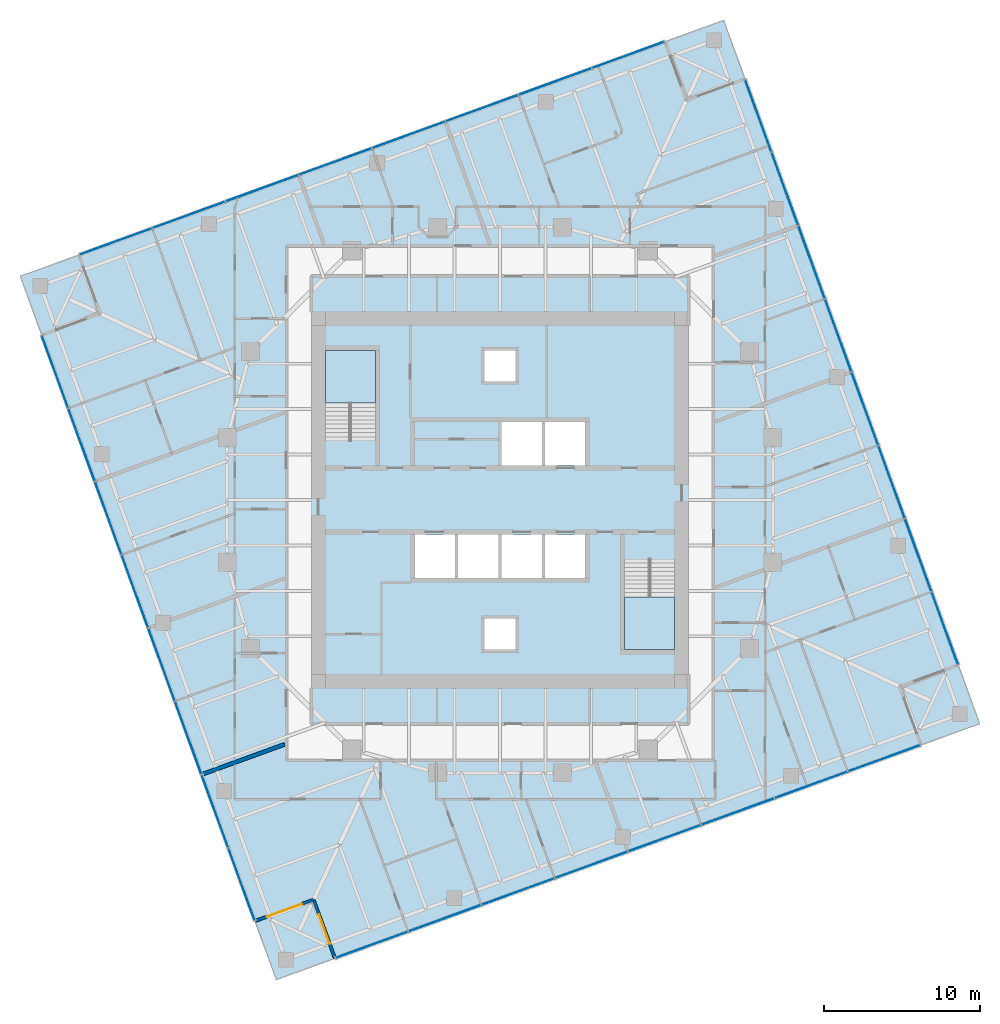
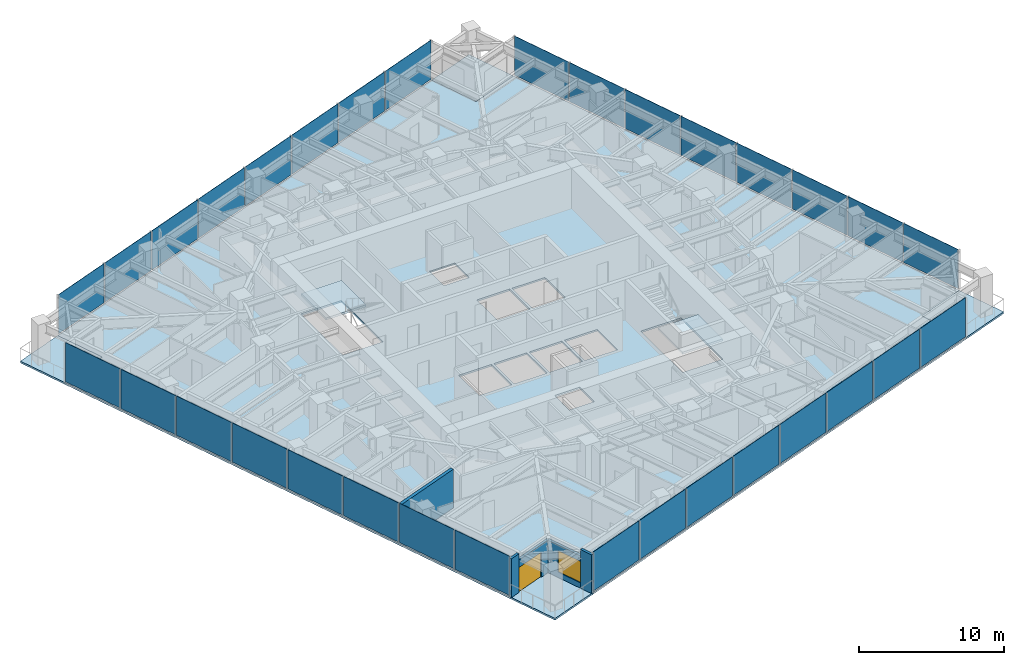
# One storey, part 6 of 13: 32 plates, 7 slabs, 5 walls, 1 door, 1 window, 2 openings, 6 elements without a shape of their own.
"""IFC4 building model written with IfcOpenShell, lengths in metres."""

from ifc_helpers import new_model, si_unit, direction, frame, frame_2d, origin, origin_2d, place, context, subcontext, project, spatial, polyline, rectangle, outline, extrude, material, layer, layer_set, type_object, element, fill, aggregate, save


model = new_model("IFC4")

# Units and contexts
model_context = context("Model", 3, precision=1e-05, world=origin(), true_north=direction((0.0, 1.0)))
body_context = subcontext(model_context, "Body", "Model", "MODEL_VIEW")
ifc_project = project(units=[si_unit("LENGTHUNIT", "METRE"), si_unit("AREAUNIT", "SQUARE_METRE"), si_unit("VOLUMEUNIT", "CUBIC_METRE"), si_unit("PLANEANGLEUNIT", "RADIAN"), si_unit("MASSUNIT", "GRAM", prefix="KILO")], contexts=[model_context])

# Site, building, storey
site_placement = place(None, origin())
site = spatial("IfcSite", under=ifc_project, at=site_placement, CompositionType="ELEMENT")
building_placement = place(site_placement, origin())
building = spatial("IfcBuilding", under=site, at=building_placement, Name="Torsade Residences", CompositionType="ELEMENT")
storey_placement = place(building_placement, frame((0.0, 0.0, 150.60009765625)))
storey = spatial("IfcBuildingStorey", under=building, at=storey_placement, Name="L41", CompositionType="ELEMENT", Elevation=150.60009765625)

# Slab
ifc_material_1 = material(Name="Concrete 40 MPa", Category="concrete")
ifc_layer_1 = layer(ifc_material_1, 0.14990234375)
ifc_layer_set_1 = layer_set([ifc_layer_1], Name="Concrete 40 MPa")
slab_type_1 = type_object("IfcSlabType", Name="COMPOSITE FLOOR SLAB 150", PredefinedType="FLOOR", material=ifc_layer_set_1)
slab_1_placement = place(storey_placement, frame((0.0, 0.0, -0.150146484375)))
element("IfcSlab", 1, at=slab_1_placement, inside=storey, type_object=slab_type_1, Name="Floor slab L41", PredefinedType="FLOOR", context=body_context, shape_type="SweptSolid", body=[
    extrude(outline(polyline([(29.41455078125, 0.60693359375), (67.00244140625, 14.287841796875), (65.63427734375, 18.046630859375), (69.39306640625, 19.41455078125), (55.712158203125, 57.00244140625), (51.953369140625, 55.63427734375), (50.58544921875, 59.39306640625), (12.99755859375, 45.712158203125), (14.36572265625, 41.953369140625), (10.60693359375, 40.58544921875), (24.287841796875, 2.99755859375), (28.046630859375, 4.36572265625), (29.41455078125, 0.60693359375)]), holes=[polyline([(51.199951171875, 26.1201171875), (48.0, 26.1201171875), (48.0, 20.39990234375), (51.199951171875, 20.39990234375), (51.199951171875, 26.1201171875)]), polyline([(45.5, 27.800048828125), (42.89990234375, 27.800048828125), (42.89990234375, 25.0), (45.5, 25.0), (45.5, 27.800048828125)]), polyline([(45.5, 35.0), (42.89990234375, 35.0), (42.89990234375, 32.199951171875), (45.5, 32.199951171875), (45.5, 35.0)]), polyline([(42.699951171875, 25.0), (42.699951171875, 27.800048828125), (40.10009765625, 27.800048828125), (40.10009765625, 25.0), (42.699951171875, 25.0)]), polyline([(42.699951171875, 35.0), (40.10009765625, 35.0), (40.10009765625, 32.199951171875), (42.699951171875, 32.199951171875), (42.699951171875, 35.0)]), polyline([(41.0, 22.39990234375), (39.0, 22.39990234375), (39.0, 20.39990234375), (41.0, 20.39990234375), (41.0, 22.39990234375)]), polyline([(41.0, 37.60009765625), (41.0, 39.60009765625), (39.0, 39.60009765625), (39.0, 37.60009765625), (41.0, 37.60009765625)]), polyline([(39.89990234375, 25.0), (39.89990234375, 27.800048828125), (37.300048828125, 27.800048828125), (37.300048828125, 25.0), (39.89990234375, 25.0)]), polyline([(37.10009765625, 27.800048828125), (34.5, 27.800048828125), (34.5, 25.0), (37.10009765625, 25.0), (37.10009765625, 27.800048828125)]), polyline([(32.0, 33.8798828125), (32.0, 39.60009765625), (28.800048828125, 39.60009765625), (28.800048828125, 33.8798828125), (32.0, 33.8798828125)])]), origin(), (0.0, 0.0, 1.0), 0.150146484375),
])

# Curtain wall, plates
ifc_material_2 = material(Name="Aluminium and glass", Category="aluminium")
curtain_wall_type = type_object("IfcCurtainWallType", Name="FRITTED GLASS CURTAIN WALL MID ZONE", PredefinedType="NOTDEFINED", material=ifc_material_2)
curtain_wall_1_placement = place(storey_placement, origin())
curtain_wall_1 = element("IfcCurtainWall", 2, at=curtain_wall_1_placement, inside=storey, type_object=curtain_wall_type, Name="Curtain wall L41 face 1", PredefinedType="NOTDEFINED")
ifc_material_3 = material(Name="Laminated glass", Category="glass")
ifc_layer_2 = layer(ifc_material_3, 0.031982421875)
ifc_layer_set_2 = layer_set([ifc_layer_2], Name="Laminated glass")
plate_type_1 = type_object("IfcPlateType", Name="FRITTED GLASS PANEL", PredefinedType="CURTAIN_PANEL", material=ifc_layer_set_2)
plate_1_placement = place(storey_placement, frame((31.78271484375, 1.46875, 0.10986328125), z_axis=(0.0, 0.0, 1.0), x_axis=(0.939692619132, 0.342020147869, 0.0)))
plate_1 = element("IfcPlate", 3, at=plate_1_placement, type_object=plate_type_1, Name="Panel 1", PredefinedType="CURTAIN_PANEL", context=body_context, shape_type="SweptSolid", body=[
    extrude(rectangle(XDim=4.8798828125, YDim=0.031982421875, at=origin_2d()), origin(), (0.0, 0.0, 1.0), 3.2900390625),
])
plate_2_placement = place(storey_placement, frame((41.160888671875, 4.88232421875, 0.10986328125), z_axis=(0.0, 0.0, 1.0), x_axis=(0.939692619132, 0.342020147869, 0.0)))
plate_2 = element("IfcPlate", 4, at=plate_2_placement, type_object=plate_type_1, Name="Panel 3", PredefinedType="CURTAIN_PANEL", context=body_context, shape_type="SweptSolid", body=[
    extrude(rectangle(XDim=4.919921875, YDim=0.031982421875, at=origin_2d()), origin(), (0.0, 0.0, 1.0), 3.2900390625),
])
plate_3_placement = place(storey_placement, frame((45.859130859375, 6.59228515625, 0.10986328125), z_axis=(0.0, 0.0, 1.0), x_axis=(0.939692619132, 0.342020147869, 0.0)))
plate_3 = element("IfcPlate", 5, at=plate_3_placement, type_object=plate_type_1, Name="Panel 4", PredefinedType="CURTAIN_PANEL", context=body_context, shape_type="SweptSolid", body=[
    extrude(rectangle(XDim=4.919921875, YDim=0.031982421875, at=origin_2d()), origin(), (0.0, 0.0, 1.0), 3.2900390625),
])
plate_4_placement = place(storey_placement, frame((50.5576171875, 8.302490234375, 0.10986328125), z_axis=(0.0, 0.0, 1.0), x_axis=(0.939692619132, 0.342020147869, 0.0)))
plate_4 = element("IfcPlate", 6, at=plate_4_placement, type_object=plate_type_1, Name="Panel 5", PredefinedType="CURTAIN_PANEL", context=body_context, shape_type="SweptSolid", body=[
    extrude(rectangle(XDim=4.919921875, YDim=0.031982421875, at=origin_2d()), origin(), (0.0, 0.0, 1.0), 3.2900390625),
])
plate_5_placement = place(storey_placement, frame((59.95458984375, 11.72265625, 0.10986328125), z_axis=(0.0, 0.0, 1.0), x_axis=(0.939692619132, 0.342020147869, 0.0)))
plate_5 = element("IfcPlate", 7, at=plate_5_placement, type_object=plate_type_1, Name="Panel 7", PredefinedType="CURTAIN_PANEL", context=body_context, shape_type="SweptSolid", body=[
    extrude(rectangle(XDim=4.919921875, YDim=0.031982421875, at=origin_2d()), origin(), (0.0, 0.0, 1.0), 3.2900390625),
])
plate_6_placement = place(storey_placement, frame((64.63427734375, 13.42578125, 0.10986328125), z_axis=(0.0, 0.0, 1.0), x_axis=(0.939692619132, 0.342020147869, 0.0)))
plate_6 = element("IfcPlate", 8, at=plate_6_placement, type_object=plate_type_1, Name="Panel 8", PredefinedType="CURTAIN_PANEL", context=body_context, shape_type="SweptSolid", body=[
    extrude(rectangle(XDim=4.8798828125, YDim=0.031982421875, at=origin_2d()), origin(), (0.0, 0.0, 1.0), 3.2900390625),
])

curtain_wall_2_placement = place(storey_placement, origin())
curtain_wall_2 = element("IfcCurtainWall", 9, at=curtain_wall_2_placement, inside=storey, type_object=curtain_wall_type, Name="Curtain wall L41 face 4", PredefinedType="NOTDEFINED")
plate_7_placement = place(storey_placement, frame((68.53125, 21.78271484375, 0.10986328125), z_axis=(0.0, 0.0, 1.0), x_axis=(-0.342020147869, 0.939692619132, 0.0)))
plate_7 = element("IfcPlate", 10, at=plate_7_placement, type_object=plate_type_1, Name="Panel 1", PredefinedType="CURTAIN_PANEL", context=body_context, shape_type="SweptSolid", body=[
    extrude(rectangle(XDim=4.8798828125, YDim=0.031982421875, at=origin_2d()), origin(), (0.0, 0.0, 1.0), 3.2900390625),
])
plate_8_placement = place(storey_placement, frame((65.11767578125, 31.160888671875, 0.10986328125), z_axis=(0.0, 0.0, 1.0), x_axis=(-0.342020147869, 0.939692619132, 0.0)))
plate_8 = element("IfcPlate", 11, at=plate_8_placement, type_object=plate_type_1, Name="Panel 3", PredefinedType="CURTAIN_PANEL", context=body_context, shape_type="SweptSolid", body=[
    extrude(rectangle(XDim=4.919921875, YDim=0.031982421875, at=origin_2d()), origin(), (0.0, 0.0, 1.0), 3.2900390625),
])
plate_9_placement = place(storey_placement, frame((63.40771484375, 35.859130859375, 0.10986328125), z_axis=(0.0, 0.0, 1.0), x_axis=(-0.342020147869, 0.939692619132, 0.0)))
plate_9 = element("IfcPlate", 12, at=plate_9_placement, type_object=plate_type_1, Name="Panel 4", PredefinedType="CURTAIN_PANEL", context=body_context, shape_type="SweptSolid", body=[
    extrude(rectangle(XDim=4.919921875, YDim=0.031982421875, at=origin_2d()), origin(), (0.0, 0.0, 1.0), 3.2900390625),
])
plate_10_placement = place(storey_placement, frame((61.697509765625, 40.5576171875, 0.10986328125), z_axis=(0.0, 0.0, 1.0), x_axis=(-0.342020147869, 0.939692619132, 0.0)))
plate_10 = element("IfcPlate", 13, at=plate_10_placement, type_object=plate_type_1, Name="Panel 5", PredefinedType="CURTAIN_PANEL", context=body_context, shape_type="SweptSolid", body=[
    extrude(rectangle(XDim=4.919921875, YDim=0.031982421875, at=origin_2d()), origin(), (0.0, 0.0, 1.0), 3.2900390625),
])
plate_11_placement = place(storey_placement, frame((58.27734375, 49.95458984375, 0.10986328125), z_axis=(0.0, 0.0, 1.0), x_axis=(-0.342020147869, 0.939692619132, 0.0)))
plate_11 = element("IfcPlate", 14, at=plate_11_placement, type_object=plate_type_1, Name="Panel 7", PredefinedType="CURTAIN_PANEL", context=body_context, shape_type="SweptSolid", body=[
    extrude(rectangle(XDim=4.919921875, YDim=0.031982421875, at=origin_2d()), origin(), (0.0, 0.0, 1.0), 3.2900390625),
])
plate_12_placement = place(storey_placement, frame((56.57421875, 54.63427734375, 0.10986328125), z_axis=(0.0, 0.0, 1.0), x_axis=(-0.342020147869, 0.939692619132, 0.0)))
plate_12 = element("IfcPlate", 15, at=plate_12_placement, type_object=plate_type_1, Name="Panel 8", PredefinedType="CURTAIN_PANEL", context=body_context, shape_type="SweptSolid", body=[
    extrude(rectangle(XDim=4.8798828125, YDim=0.031982421875, at=origin_2d()), origin(), (0.0, 0.0, 1.0), 3.2900390625),
])

curtain_wall_3_placement = place(storey_placement, origin())
curtain_wall_3 = element("IfcCurtainWall", 16, at=curtain_wall_3_placement, inside=storey, type_object=curtain_wall_type, Name="Curtain wall L41 face 7", PredefinedType="NOTDEFINED")
plate_13_placement = place(storey_placement, frame((48.21728515625, 58.53125, 0.10986328125), z_axis=(0.0, 0.0, 1.0), x_axis=(-0.939692619132, -0.342020147869, 0.0)))
plate_13 = element("IfcPlate", 17, at=plate_13_placement, type_object=plate_type_1, Name="Panel 1", PredefinedType="CURTAIN_PANEL", context=body_context, shape_type="SweptSolid", body=[
    extrude(rectangle(XDim=4.8798828125, YDim=0.031982421875, at=origin_2d()), origin(), (0.0, 0.0, 1.0), 3.2900390625),
])
plate_14_placement = place(storey_placement, frame((38.839111328125, 55.11767578125, 0.10986328125), z_axis=(0.0, 0.0, 1.0), x_axis=(-0.939692619132, -0.342020147869, 0.0)))
plate_14 = element("IfcPlate", 18, at=plate_14_placement, type_object=plate_type_1, Name="Panel 3", PredefinedType="CURTAIN_PANEL", context=body_context, shape_type="SweptSolid", body=[
    extrude(rectangle(XDim=4.919921875, YDim=0.031982421875, at=origin_2d()), origin(), (0.0, 0.0, 1.0), 3.2900390625),
])
plate_15_placement = place(storey_placement, frame((34.140869140625, 53.40771484375, 0.10986328125), z_axis=(0.0, 0.0, 1.0), x_axis=(-0.939692619132, -0.342020147869, 0.0)))
plate_15 = element("IfcPlate", 19, at=plate_15_placement, type_object=plate_type_1, Name="Panel 4", PredefinedType="CURTAIN_PANEL", context=body_context, shape_type="SweptSolid", body=[
    extrude(rectangle(XDim=4.919921875, YDim=0.031982421875, at=origin_2d()), origin(), (0.0, 0.0, 1.0), 3.2900390625),
])
plate_16_placement = place(storey_placement, frame((29.4423828125, 51.697509765625, 0.10986328125), z_axis=(0.0, 0.0, 1.0), x_axis=(-0.939692619132, -0.342020147869, 0.0)))
plate_16 = element("IfcPlate", 20, at=plate_16_placement, type_object=plate_type_1, Name="Panel 5", PredefinedType="CURTAIN_PANEL", context=body_context, shape_type="SweptSolid", body=[
    extrude(rectangle(XDim=4.919921875, YDim=0.031982421875, at=origin_2d()), origin(), (0.0, 0.0, 1.0), 3.2900390625),
])
plate_17_placement = place(storey_placement, frame((20.04541015625, 48.27734375, 0.10986328125), z_axis=(0.0, 0.0, 1.0), x_axis=(-0.939692619132, -0.342020147869, 0.0)))
plate_17 = element("IfcPlate", 21, at=plate_17_placement, type_object=plate_type_1, Name="Panel 7", PredefinedType="CURTAIN_PANEL", context=body_context, shape_type="SweptSolid", body=[
    extrude(rectangle(XDim=4.919921875, YDim=0.031982421875, at=origin_2d()), origin(), (0.0, 0.0, 1.0), 3.2900390625),
])
plate_18_placement = place(storey_placement, frame((15.36572265625, 46.57421875, 0.10986328125), z_axis=(0.0, 0.0, 1.0), x_axis=(-0.939692619132, -0.342020147869, 0.0)))
plate_18 = element("IfcPlate", 22, at=plate_18_placement, type_object=plate_type_1, Name="Panel 8", PredefinedType="CURTAIN_PANEL", context=body_context, shape_type="SweptSolid", body=[
    extrude(rectangle(XDim=4.8798828125, YDim=0.031982421875, at=origin_2d()), origin(), (0.0, 0.0, 1.0), 3.2900390625),
])

curtain_wall_4_placement = place(storey_placement, origin())
curtain_wall_4 = element("IfcCurtainWall", 23, at=curtain_wall_4_placement, inside=storey, type_object=curtain_wall_type, Name="Curtain wall L41 face 10", PredefinedType="NOTDEFINED")
plate_19_placement = place(storey_placement, frame((11.46875, 38.21728515625, 0.10986328125), z_axis=(0.0, 0.0, 1.0), x_axis=(0.342020147869, -0.939692619132, 0.0)))
plate_19 = element("IfcPlate", 24, at=plate_19_placement, type_object=plate_type_1, Name="Panel 1", PredefinedType="CURTAIN_PANEL", context=body_context, shape_type="SweptSolid", body=[
    extrude(rectangle(XDim=4.8798828125, YDim=0.031982421875, at=origin_2d()), origin(), (0.0, 0.0, 1.0), 3.2900390625),
])
plate_20_placement = place(storey_placement, frame((14.88232421875, 28.839111328125, 0.10986328125), z_axis=(0.0, 0.0, 1.0), x_axis=(0.342020147869, -0.939692619132, 0.0)))
plate_20 = element("IfcPlate", 25, at=plate_20_placement, type_object=plate_type_1, Name="Panel 3", PredefinedType="CURTAIN_PANEL", context=body_context, shape_type="SweptSolid", body=[
    extrude(rectangle(XDim=4.919921875, YDim=0.031982421875, at=origin_2d()), origin(), (0.0, 0.0, 1.0), 3.2900390625),
])
plate_21_placement = place(storey_placement, frame((16.59228515625, 24.140869140625, 0.10986328125), z_axis=(0.0, 0.0, 1.0), x_axis=(0.342020147869, -0.939692619132, 0.0)))
plate_21 = element("IfcPlate", 26, at=plate_21_placement, type_object=plate_type_1, Name="Panel 4", PredefinedType="CURTAIN_PANEL", context=body_context, shape_type="SweptSolid", body=[
    extrude(rectangle(XDim=4.919921875, YDim=0.031982421875, at=origin_2d()), origin(), (0.0, 0.0, 1.0), 3.2900390625),
])
plate_22_placement = place(storey_placement, frame((18.302490234375, 19.4423828125, 0.10986328125), z_axis=(0.0, 0.0, 1.0), x_axis=(0.342020147869, -0.939692619132, 0.0)))
plate_22 = element("IfcPlate", 27, at=plate_22_placement, type_object=plate_type_1, Name="Panel 5", PredefinedType="CURTAIN_PANEL", context=body_context, shape_type="SweptSolid", body=[
    extrude(rectangle(XDim=4.919921875, YDim=0.031982421875, at=origin_2d()), origin(), (0.0, 0.0, 1.0), 3.2900390625),
])
plate_23_placement = place(storey_placement, frame((21.72265625, 10.04541015625, 0.10986328125), z_axis=(0.0, 0.0, 1.0), x_axis=(0.342020147869, -0.939692619132, 0.0)))
plate_23 = element("IfcPlate", 28, at=plate_23_placement, type_object=plate_type_1, Name="Panel 7", PredefinedType="CURTAIN_PANEL", context=body_context, shape_type="SweptSolid", body=[
    extrude(rectangle(XDim=4.919921875, YDim=0.031982421875, at=origin_2d()), origin(), (0.0, 0.0, 1.0), 3.2900390625),
])
plate_24_placement = place(storey_placement, frame((23.42578125, 5.36572265625, 0.10986328125), z_axis=(0.0, 0.0, 1.0), x_axis=(0.342020147869, -0.939692619132, 0.0)))
plate_24 = element("IfcPlate", 29, at=plate_24_placement, type_object=plate_type_1, Name="Panel 8", PredefinedType="CURTAIN_PANEL", context=body_context, shape_type="SweptSolid", body=[
    extrude(rectangle(XDim=4.8798828125, YDim=0.031982421875, at=origin_2d()), origin(), (0.0, 0.0, 1.0), 3.2900390625),
])

# Plate
ifc_material_4 = material(Name="Laminated glass", Category="glass")
ifc_layer_3 = layer(ifc_material_4, 0.0400390625)
ifc_layer_set_3 = layer_set([ifc_layer_3], Name="Laminated glass")
plate_type_2 = type_object("IfcPlateType", Name="OPERABLE VENT PANEL", PredefinedType="CURTAIN_PANEL", material=ifc_layer_set_3)
plate_25_placement = place(storey_placement, frame((36.46240234375, 3.172119140625, 0.10986328125), z_axis=(0.0, 0.0, 1.0), x_axis=(0.939692619132, 0.342020147869, 0.0)))
plate_25 = element("IfcPlate", 30, at=plate_25_placement, type_object=plate_type_2, Name="Panel 2", PredefinedType="CURTAIN_PANEL", context=body_context, shape_type="SweptSolid", body=[
    extrude(rectangle(XDim=4.919921875, YDim=0.0400390625, at=origin_2d()), origin(), (0.0, 0.0, 1.0), 3.2900390625),
])

plate_26_placement = place(storey_placement, frame((55.256103515625, 10.012451171875, 0.10986328125), z_axis=(0.0, 0.0, 1.0), x_axis=(0.939692619132, 0.342020147869, 0.0)))
plate_26 = element("IfcPlate", 31, at=plate_26_placement, type_object=plate_type_2, Name="Panel 6", PredefinedType="CURTAIN_PANEL", context=body_context, shape_type="SweptSolid", body=[
    extrude(rectangle(XDim=4.919921875, YDim=0.0400390625, at=origin_2d()), origin(), (0.0, 0.0, 1.0), 3.2900390625),
])

aggregate(curtain_wall_1, [plate_1, plate_25, plate_2, plate_3, plate_4, plate_26, plate_5, plate_6])

plate_27_placement = place(storey_placement, frame((66.827880859375, 26.46240234375, 0.10986328125), z_axis=(0.0, 0.0, 1.0), x_axis=(-0.342020147869, 0.939692619132, 0.0)))
plate_27 = element("IfcPlate", 32, at=plate_27_placement, type_object=plate_type_2, Name="Panel 2", PredefinedType="CURTAIN_PANEL", context=body_context, shape_type="SweptSolid", body=[
    extrude(rectangle(XDim=4.919921875, YDim=0.0400390625, at=origin_2d()), origin(), (0.0, 0.0, 1.0), 3.2900390625),
])

plate_28_placement = place(storey_placement, frame((59.987548828125, 45.256103515625, 0.10986328125), z_axis=(0.0, 0.0, 1.0), x_axis=(-0.342020147869, 0.939692619132, 0.0)))
plate_28 = element("IfcPlate", 33, at=plate_28_placement, type_object=plate_type_2, Name="Panel 6", PredefinedType="CURTAIN_PANEL", context=body_context, shape_type="SweptSolid", body=[
    extrude(rectangle(XDim=4.919921875, YDim=0.0400390625, at=origin_2d()), origin(), (0.0, 0.0, 1.0), 3.2900390625),
])

aggregate(curtain_wall_2, [plate_7, plate_27, plate_8, plate_9, plate_10, plate_28, plate_11, plate_12])

plate_29_placement = place(storey_placement, frame((43.53759765625, 56.827880859375, 0.10986328125), z_axis=(0.0, 0.0, 1.0), x_axis=(-0.939692619132, -0.342020147869, 0.0)))
plate_29 = element("IfcPlate", 34, at=plate_29_placement, type_object=plate_type_2, Name="Panel 2", PredefinedType="CURTAIN_PANEL", context=body_context, shape_type="SweptSolid", body=[
    extrude(rectangle(XDim=4.919921875, YDim=0.0400390625, at=origin_2d()), origin(), (0.0, 0.0, 1.0), 3.2900390625),
])

plate_30_placement = place(storey_placement, frame((24.743896484375, 49.987548828125, 0.10986328125), z_axis=(0.0, 0.0, 1.0), x_axis=(-0.939692619132, -0.342020147869, 0.0)))
plate_30 = element("IfcPlate", 35, at=plate_30_placement, type_object=plate_type_2, Name="Panel 6", PredefinedType="CURTAIN_PANEL", context=body_context, shape_type="SweptSolid", body=[
    extrude(rectangle(XDim=4.919921875, YDim=0.0400390625, at=origin_2d()), origin(), (0.0, 0.0, 1.0), 3.2900390625),
])

aggregate(curtain_wall_3, [plate_13, plate_29, plate_14, plate_15, plate_16, plate_30, plate_17, plate_18])

plate_31_placement = place(storey_placement, frame((13.172119140625, 33.53759765625, 0.10986328125), z_axis=(0.0, 0.0, 1.0), x_axis=(0.342020147869, -0.939692619132, 0.0)))
plate_31 = element("IfcPlate", 36, at=plate_31_placement, type_object=plate_type_2, Name="Panel 2", PredefinedType="CURTAIN_PANEL", context=body_context, shape_type="SweptSolid", body=[
    extrude(rectangle(XDim=4.919921875, YDim=0.0400390625, at=origin_2d()), origin(), (0.0, 0.0, 1.0), 3.2900390625),
])

plate_32_placement = place(storey_placement, frame((20.012451171875, 14.743896484375, 0.10986328125), z_axis=(0.0, 0.0, 1.0), x_axis=(0.342020147869, -0.939692619132, 0.0)))
plate_32 = element("IfcPlate", 37, at=plate_32_placement, type_object=plate_type_2, Name="Panel 6", PredefinedType="CURTAIN_PANEL", context=body_context, shape_type="SweptSolid", body=[
    extrude(rectangle(XDim=4.919921875, YDim=0.0400390625, at=origin_2d()), origin(), (0.0, 0.0, 1.0), 3.2900390625),
])

aggregate(curtain_wall_4, [plate_19, plate_31, plate_20, plate_21, plate_22, plate_32, plate_23, plate_24])

# Stair, slab
ifc_material_5 = material(Name="Precast concrete 40 MPa", Category="concrete")
stair_type = type_object("IfcStairType", Name="HALF-TURN FIRE STAIR 1500x3400", PredefinedType="HALF_TURN_STAIR", material=ifc_material_5)
stair_1_placement = place(storey_placement, origin())
stair_1 = element("IfcStair", 38, at=stair_1_placement, inside=storey, type_object=stair_type, Name="Stair ST1 L41", PredefinedType="HALF_TURN_STAIR")
ifc_material_6 = material(Name="Precast concrete 40 MPa", Category="concrete")
ifc_layer_4 = layer(ifc_material_6, 0.179931640625)
ifc_layer_set_4 = layer_set([ifc_layer_4], Name="Precast concrete 40 MPa")
slab_type_2 = type_object("IfcSlabType", Name="PRECAST STAIR LANDING 180", PredefinedType="LANDING", material=ifc_layer_set_4)
slab_2_placement = place(storey_placement, frame((0.0, 0.0, 1.52001953125)))
slab_2 = element("IfcSlab", 39, at=slab_2_placement, type_object=slab_type_2, Name="ST1 landing 1", PredefinedType="LANDING", context=body_context, shape_type="SweptSolid", body=[
    extrude(outline(polyline([(28.800048828125, 36.2099609375), (32.0, 36.2099609375), (32.0, 39.60009765625), (28.800048828125, 39.60009765625), (28.800048828125, 36.2099609375)])), origin(), (0.0, 0.0, 1.0), 0.179931640625),
])
aggregate(stair_1, [slab_2])

stair_2_placement = place(storey_placement, origin())
stair_2 = element("IfcStair", 40, at=stair_2_placement, inside=storey, type_object=stair_type, Name="Stair ST2 L41", PredefinedType="HALF_TURN_STAIR")
slab_3_placement = place(storey_placement, frame((0.0, 0.0, 1.52001953125)))
slab_3 = element("IfcSlab", 41, at=slab_3_placement, type_object=slab_type_2, Name="ST2 landing 1", PredefinedType="LANDING", context=body_context, shape_type="SweptSolid", body=[
    extrude(outline(polyline([(48.0, 20.39990234375), (51.199951171875, 20.39990234375), (51.199951171875, 23.7900390625), (48.0, 23.7900390625), (48.0, 20.39990234375)])), origin(), (0.0, 0.0, 1.0), 0.179931640625),
])
aggregate(stair_2, [slab_3])

# Slabs
ifc_material_7 = material(Name="Concrete 40 MPa", Category="concrete")
ifc_layer_5 = layer(ifc_material_7, 0.14990234375)
ifc_layer_set_5 = layer_set([ifc_layer_5], Name="Concrete 40 MPa")
slab_type_3 = type_object("IfcSlabType", Name="TERRACE SLAB 150", PredefinedType="FLOOR", material=ifc_layer_set_5)
slab_4_placement = place(storey_placement, frame((0.0, 0.0, -0.150146484375)))
element("IfcSlab", 42, at=slab_4_placement, inside=storey, type_object=slab_type_3, Name="Corner terrace slab SE L41", PredefinedType="FLOOR", context=body_context, shape_type="SweptSolid", body=[
    extrude(outline(polyline([(67.00244140625, 14.287841796875), (70.760986328125, 15.65576171875), (69.39306640625, 19.41455078125), (65.63427734375, 18.046630859375), (67.00244140625, 14.287841796875)])), origin(), (0.0, 0.0, 1.0), 0.150146484375),
])
slab_5_placement = place(storey_placement, frame((0.0, 0.0, -0.150146484375)))
element("IfcSlab", 43, at=slab_5_placement, inside=storey, type_object=slab_type_3, Name="Corner terrace slab NE L41", PredefinedType="FLOOR", context=body_context, shape_type="SweptSolid", body=[
    extrude(outline(polyline([(51.953369140625, 55.63427734375), (55.712158203125, 57.00244140625), (54.34423828125, 60.760986328125), (50.58544921875, 59.39306640625), (51.953369140625, 55.63427734375)])), origin(), (0.0, 0.0, 1.0), 0.150146484375),
])
slab_6_placement = place(storey_placement, frame((0.0, 0.0, -0.150146484375)))
element("IfcSlab", 44, at=slab_6_placement, inside=storey, type_object=slab_type_3, Name="Corner terrace slab NW L41", PredefinedType="FLOOR", context=body_context, shape_type="SweptSolid", body=[
    extrude(outline(polyline([(10.60693359375, 40.58544921875), (14.36572265625, 41.953369140625), (12.99755859375, 45.712158203125), (9.239013671875, 44.34423828125), (10.60693359375, 40.58544921875)])), origin(), (0.0, 0.0, 1.0), 0.150146484375),
])
slab_7_placement = place(storey_placement, frame((0.0, 0.0, -0.150146484375)))
element("IfcSlab", 45, at=slab_7_placement, inside=storey, type_object=slab_type_3, Name="Corner terrace slab SW L41", PredefinedType="FLOOR", context=body_context, shape_type="SweptSolid", body=[
    extrude(outline(polyline([(25.65576171875, -0.760986328125), (29.41455078125, 0.60693359375), (28.046630859375, 4.36572265625), (24.287841796875, 2.99755859375), (25.65576171875, -0.760986328125)])), origin(), (0.0, 0.0, 1.0), 0.150146484375),
])

# Walls
ifc_material_8 = material(Name="Masonry-lined stud party wall", Category="masonry")
ifc_layer_6 = layer(ifc_material_8, 0.25)
ifc_layer_set_6 = layer_set([ifc_layer_6], Name="Masonry-lined stud party wall")
wall_type_1 = type_object("IfcWallType", Name="PARTY WALL 250", PredefinedType="PARTITIONING", material=ifc_layer_set_6)
wall_1_placement = place(storey_placement, frame((20.86767578125, 12.39453125, 0.0), z_axis=(0.0, 0.0, 1.0), x_axis=(0.939690274876, 0.342026588591, 0.0)))
element("IfcWall", 46, at=wall_1_placement, inside=storey, type_object=wall_type_1, Name="Party wall L41", PredefinedType="PARTITIONING", context=body_context, shape_type="SweptSolid", body=[
    extrude(rectangle(XDim=5.6689453125, YDim=0.25, at=frame_2d((2.83447265625, 0.0))), origin(), (0.0, 0.0, 1.0), 3.25),
])
ifc_material_9 = material(Name="Stone-faced precast concrete 40 MPa panel", Category="masonry")
ifc_layer_7 = layer(ifc_material_9, 0.199951171875)
ifc_layer_set_7 = layer_set([ifc_layer_7], Name="Stone-faced precast concrete 40 MPa panel")
wall_type_2 = type_object("IfcWallType", Name="TERRACE WALL 200", PredefinedType="SOLIDWALL", material=ifc_layer_set_7)
wall_2_placement = place(storey_placement, frame((24.287841796875, 2.99755859375, 0.0), z_axis=(0.0, 0.0, 1.0), x_axis=(0.939659694648, 0.342110593602, 0.0)))
element("IfcWall", 47, at=wall_2_placement, inside=storey, type_object=wall_type_2, Name="Terrace wall L41 11", PredefinedType="SOLIDWALL", context=body_context, shape_type="SweptSolid", body=[
    extrude(rectangle(XDim=0.800048828125, YDim=0.199951171875, at=frame_2d((0.39990234375, 0.0))), origin(), (0.0, 0.0, 1.0), 3.25),
])

# Wall, opening, door
wall_3_placement = place(storey_placement, frame((25.03955078125, 3.271240234375, 0.0), z_axis=(0.0, 0.0, 1.0), x_axis=(0.939693144909, 0.342018703306, 0.0)))
wall_3 = element("IfcWall", 48, at=wall_3_placement, inside=storey, type_object=wall_type_2, Name="Terrace wall L41 11", PredefinedType="SOLIDWALL", context=body_context, shape_type="SweptSolid", body=[
    extrude(rectangle(XDim=3.199951171875, YDim=0.199951171875, at=frame_2d((1.60009765625, 0.0))), origin(), (0.0, 0.0, 1.0), 2.721923828125),
])
opening_1_placement = place(wall_3_placement, origin())
opening_1 = element("IfcOpeningElement", 49, at=opening_1_placement, cuts=wall_3, Name="Opening D10A", PredefinedType="OPENING", context=body_context, shape_type="SweptSolid", body=[
    extrude(rectangle(XDim=2.39990234375, YDim=2.10009765625, at=frame_2d((1.199951171875, 1.050048828125))), frame((0.0, 0.10986328125, 0.0), z_axis=(0.0, -1.0, 0.0), x_axis=(1.0, 0.0, 0.0)), (0.0, 0.0, 1.0), 0.219970703125),
])
ifc_material_10 = material(Name="Aluminium-framed glass door", Category="aluminium")
door_type = type_object("IfcDoorType", Name="TERRACE SLIDING DOOR 2400x2100", OperationType="SLIDING_TO_LEFT", PredefinedType="DOOR", material=ifc_material_10)
door_placement = place(opening_1_placement, origin())
door = element("IfcDoor", 50, at=door_placement, inside=storey, type_object=door_type, Name="Terrace door L41 11", OperationType="SLIDING_TO_LEFT", OverallHeight=2.10009765625, OverallWidth=2.39990234375, PredefinedType="DOOR", context=body_context, shape_type="SweptSolid", body=[
    extrude(rectangle(XDim=2.39990234375, YDim=2.10009765625, at=frame_2d((1.199951171875, 1.050048828125))), frame((0.0, 0.02490234375, 0.0), z_axis=(0.0, -1.0, 0.0), x_axis=(1.0, 0.0, 0.0)), (0.0, 0.0, 1.0), 0.050048828125),
])
fill(opening_1, door)

# Wall, opening, window
wall_4_placement = place(storey_placement, frame((28.046630859375, 4.36572265625, 0.0), z_axis=(0.0, 0.0, 1.0), x_axis=(0.341965219194, -0.939712609717, 0.0)))
wall_4 = element("IfcWall", 51, at=wall_4_placement, inside=storey, type_object=wall_type_2, Name="Terrace wall L41 12", PredefinedType="SOLIDWALL", context=body_context, shape_type="SweptSolid", body=[
    extrude(rectangle(XDim=3.0, YDim=0.199951171875, at=frame_2d((1.5, 0.0))), origin(), (0.0, 0.0, 1.0), 2.721923828125),
])
opening_2_placement = place(wall_4_placement, frame((1.0, 0.0, 0.449951171875)))
opening_2 = element("IfcOpeningElement", 52, at=opening_2_placement, cuts=wall_4, Name="Opening W1B", PredefinedType="OPENING", context=body_context, shape_type="SweptSolid", body=[
    extrude(rectangle(XDim=2.0, YDim=1.800048828125, at=frame_2d((1.0, 0.89990234375))), frame((0.0, 0.10986328125, 0.0), z_axis=(0.0, -1.0, 0.0), x_axis=(1.0, 0.0, 0.0)), (0.0, 0.0, 1.0), 0.219970703125),
])
ifc_material_11 = material(Name="Aluminium-framed glass window", Category="aluminium")
window_type = type_object("IfcWindowType", Name="TERRACE WINDOW 2000x1800", PartitioningType="SINGLE_PANEL", PredefinedType="WINDOW", material=ifc_material_11)
window_placement = place(opening_2_placement, origin())
window = element("IfcWindow", 53, at=window_placement, inside=storey, type_object=window_type, Name="Terrace window L41 12", OverallHeight=1.800048828125, OverallWidth=2.0, PartitioningType="SINGLE_PANEL", PredefinedType="WINDOW", context=body_context, shape_type="SweptSolid", body=[
    extrude(rectangle(XDim=2.0, YDim=1.800048828125, at=frame_2d((1.0, 0.89990234375))), frame((0.0, 0.030029296875, 0.0), z_axis=(0.0, -1.0, 0.0), x_axis=(1.0, 0.0, 0.0)), (0.0, 0.0, 1.0), 0.06005859375),
])
fill(opening_2, window)

# Wall
wall_5_placement = place(storey_placement, frame((29.072509765625, 1.546630859375, 0.0), z_axis=(0.0, 0.0, 1.0), x_axis=(0.342037080957, -0.939686455819, 0.0)))
element("IfcWall", 54, at=wall_5_placement, inside=storey, type_object=wall_type_2, Name="Terrace wall L41 12", PredefinedType="SOLIDWALL", context=body_context, shape_type="SweptSolid", body=[
    extrude(rectangle(XDim=1.0, YDim=0.199951171875, at=frame_2d((0.5, 0.0))), origin(), (0.0, 0.0, 1.0), 3.25),
])

save(model, "model.ifc")
